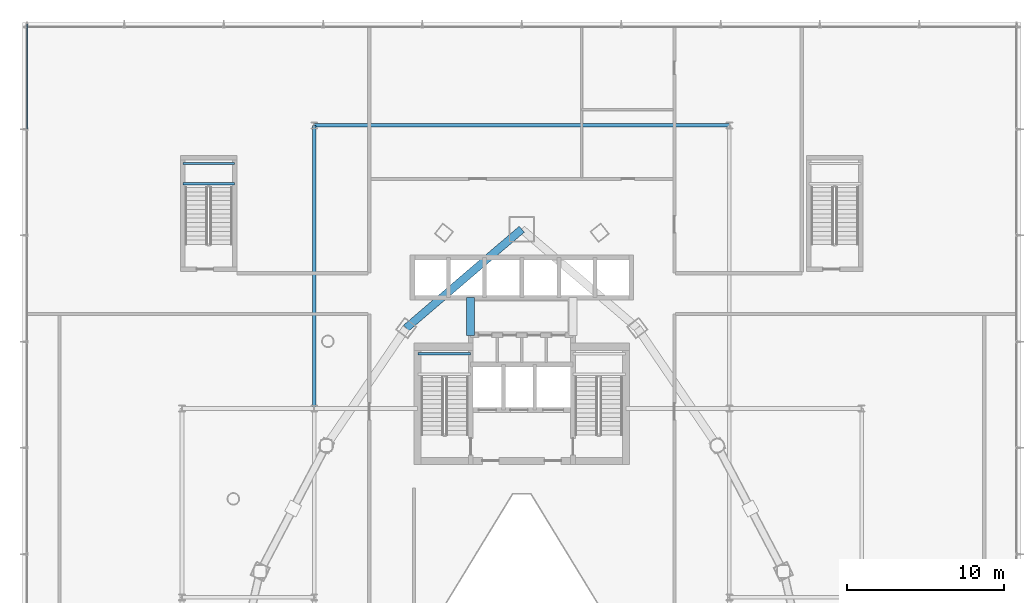
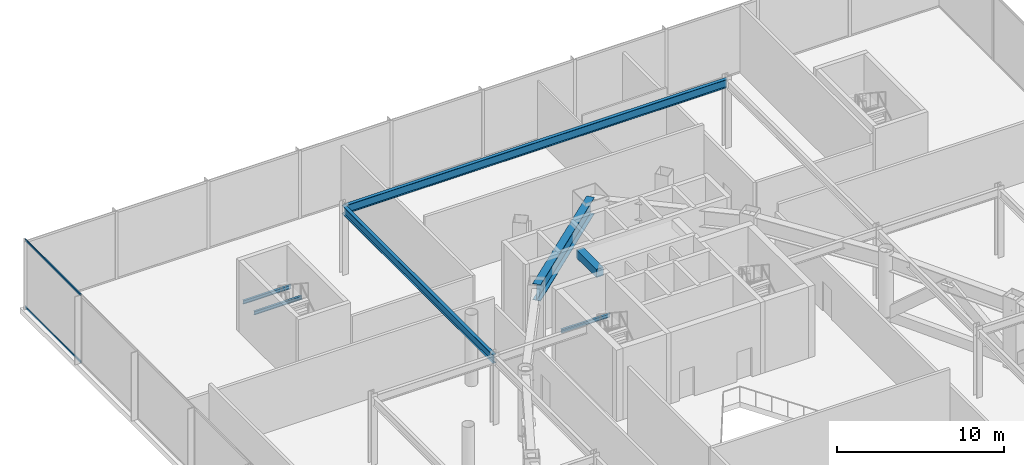
# One storey, part 23 of 43: 7 beams, 2 members, 1 element without a shape of its own.
"""IFC4 building model written with IfcOpenShell, lengths in metres."""

from ifc_helpers import new_model, si_unit, direction, frame, origin, origin_2d, place, context, subcontext, project, spatial, rectangle, hollow_rectangle, i_section, extrude, material, layer, layer_set, material_profile, profile_set, type_object, element, aggregate, save


model = new_model("IFC4")

# Units and contexts
model_context = context("Model", 3, precision=1e-05, world=origin(), true_north=direction((0.0, 1.0)))
body_context = subcontext(model_context, "Body", "Model", "MODEL_VIEW")
ifc_project = project(units=[si_unit("LENGTHUNIT", "METRE"), si_unit("AREAUNIT", "SQUARE_METRE"), si_unit("VOLUMEUNIT", "CUBIC_METRE"), si_unit("PLANEANGLEUNIT", "RADIAN"), si_unit("MASSUNIT", "GRAM", prefix="KILO")], contexts=[model_context])

# Site, building, storey
site_placement = place(None, origin())
site = spatial("IfcSite", under=ifc_project, at=site_placement, CompositionType="ELEMENT")
building_placement = place(site_placement, origin())
building = spatial("IfcBuilding", under=site, at=building_placement, Name="Orvanel Arch Residences", CompositionType="ELEMENT")
storey_placement = place(building_placement, frame((0.0, 0.0, 18.39990234375)))
storey = spatial("IfcBuildingStorey", under=building, at=storey_placement, Name="L04", CompositionType="ELEMENT", Elevation=18.39990234375)

# Beams
ifc_material_1 = material(Name="Structural steel AS/NZS 3679.1 Grade 300 (300 MPa)", Category="steel")
ifc_material_profile_1 = material_profile(ifc_material_1, i_section(OverallWidth=0.22900390625, OverallDepth=0.612060546875, WebThickness=0.011962890625, FlangeThickness=0.01953125, at=origin_2d()), Name="610UB125")
ifc_profile_set_1 = profile_set([ifc_material_profile_1], Name="Structural steel AS/NZS 3679.1 Grade 300 (300 MPa)")
beam_type_1 = type_object("IfcBeamType", Name="BG-610UB", PredefinedType="BEAM", material=ifc_profile_set_1)
beam_1_placement = place(storey_placement, frame((19.800048828125, 48.0, 4.654052734375), z_axis=(1.0, 0.0, 0.0), x_axis=(0.0, 1.0, 0.0)))
element("IfcBeam", 1, at=beam_1_placement, inside=storey, type_object=beam_type_1, Name="L04 BG-610UB beam", PredefinedType="BEAM", context=body_context, shape_type="SweptSolid", body=[
    extrude(i_section(OverallWidth=0.22900390625, OverallDepth=0.612060546875, WebThickness=0.011962890625, FlangeThickness=0.01953125, at=origin_2d()), origin(), (0.0, 0.0, 1.0), 26.39990234375),
])
beam_2_placement = place(storey_placement, frame((19.800048828125, 30.0, 4.654052734375), z_axis=(0.0, 1.0, 0.0), x_axis=(-1.0, 0.0, 0.0)))
element("IfcBeam", 2, at=beam_2_placement, inside=storey, type_object=beam_type_1, Name="L04 North-South Podium Girder XW20-N", PredefinedType="BEAM", context=body_context, shape_type="SweptSolid", body=[
    extrude(i_section(OverallWidth=0.22900390625, OverallDepth=0.612060546875, WebThickness=0.011962890625, FlangeThickness=0.01953125, at=origin_2d()), origin(), (0.0, 0.0, 1.0), 18.0),
])
ifc_material_profile_2 = material_profile(ifc_material_1, i_section(OverallWidth=0.14599609375, OverallDepth=0.251953125, WebThickness=0.006103515625, FlangeThickness=0.008544921875, at=origin_2d()), Name="250UB31.4")
ifc_profile_set_2 = profile_set([ifc_material_profile_2], Name="Structural steel AS/NZS 3679.1 Grade 300 (300 MPa)")
beam_type_2 = type_object("IfcBeamType", Name="BJ-250UB", PredefinedType="JOIST", material=ifc_profile_set_2)
beam_3_placement = place(storey_placement, frame((26.39990234375, 33.47998046875, 2.274169921875), z_axis=(1.0, 0.0, 0.0), x_axis=(0.0, 1.0, 0.0)))
element("IfcBeam", 3, at=beam_3_placement, inside=storey, type_object=beam_type_2, Name="L04 ST-1 Half-Landing Support Beam 1.2", PredefinedType="JOIST", context=body_context, shape_type="SweptSolid", body=[
    extrude(i_section(OverallWidth=0.14599609375, OverallDepth=0.251953125, WebThickness=0.006103515625, FlangeThickness=0.008544921875, at=origin_2d()), origin(), (0.0, 0.0, 1.0), 3.35009765625),
])
for number, where, z_axis, x_axis, name in (
    (4, (11.449951171875, 44.280029296875, 2.274169921875), (1.0, 0.0, 0.0), (0.0, 1.0, 0.0), "L04 ST-3 Half-Landing Support Beam 1.1"),
    (5, (11.449951171875, 45.580078125, 2.274169921875), (1.0, 0.0, 0.0), (0.0, 1.0, 0.0), "L04 ST-3 Half-Landing Support Beam 1.2"),
):
    element("IfcBeam", number, at=place(storey_placement, frame(where, z_axis=z_axis, x_axis=x_axis)), inside=storey, type_object=beam_type_2, Name=name, PredefinedType="JOIST", context=body_context, shape_type="SweptSolid", body=[
        extrude(i_section(OverallWidth=0.14599609375, OverallDepth=0.251953125, WebThickness=0.006103515625, FlangeThickness=0.008544921875, at=origin_2d()), origin(), (0.0, 0.0, 1.0), 3.300048828125),
    ])
ifc_material_2 = material(Name="Concrete S65 (65 MPa)", Category="concrete")
ifc_material_profile_3 = material_profile(ifc_material_2, rectangle(XDim=0.5, YDim=0.60009765625, at=origin_2d()), Name="RC500x600")
ifc_profile_set_3 = profile_set([ifc_material_profile_3], Name="Concrete S65 (65 MPa)")
beam_type_3 = type_object("IfcBeamType", Name="CB-500x600", PredefinedType="LINTEL", material=ifc_profile_set_3)
beam_4_placement = place(storey_placement, frame((29.75, 34.64990234375, 4.66015625), z_axis=(0.0, 1.0, 0.0), x_axis=(-1.0, 0.0, 0.0)))
element("IfcBeam", 6, at=beam_4_placement, inside=storey, type_object=beam_type_3, Name="L04 West Core Lobby Coupling Lintel Beam", PredefinedType="LINTEL", context=body_context, shape_type="SweptSolid", body=[
    extrude(rectangle(XDim=0.5, YDim=0.60009765625, at=origin_2d()), origin(), (0.0, 0.0, 1.0), 2.400146484375),
])
ifc_material_3 = material(Name="Structural steel AS/NZS 3678 Grade 350", Category="steel")
ifc_material_profile_4 = material_profile(ifc_material_3, i_section(OverallWidth=0.5, OverallDepth=1.199951171875, WebThickness=0.02001953125, FlangeThickness=0.035888671875, at=origin_2d()), Name="1200WB455")
ifc_profile_set_4 = profile_set([ifc_material_profile_4], Name="Structural steel AS/NZS 3678 Grade 350")
beam_type_4 = type_object("IfcBeamType", Name="TG-1200WB", PredefinedType="USERDEFINED", material=ifc_profile_set_4)
beam_5_placement = place(storey_placement, frame((33.0, 41.39794921875, 4.360107421875), z_axis=(-0.760116518398, -0.649786794617, 0.0), x_axis=(0.649786794617, -0.760116518398, 0.0)))
element("IfcBeam", 7, at=beam_5_placement, inside=storey, type_object=beam_type_4, Name="L04 Podium Transfer Belt Girder 09", ObjectType="TRANSFER GIRDER", PredefinedType="USERDEFINED", context=body_context, shape_type="SweptSolid", body=[
    extrude(i_section(OverallWidth=0.5, OverallDepth=1.199951171875, WebThickness=0.02001953125, FlangeThickness=0.035888671875, at=origin_2d()), origin(), (0.0, 0.0, 1.0), 9.67236328125),
])

# Curtain wall, members
ifc_material_4 = material(Name="Bronze-anodised aluminium AA6063-T6", Category="aluminium")
ifc_layer = layer(ifc_material_4, 0.199951171875)
ifc_layer_set = layer_set([ifc_layer], Name="Bronze-anodised aluminium AA6063-T6")
curtain_wall_type = type_object("IfcCurtainWallType", Name="CW1-POD-SYS", PredefinedType="NOTDEFINED", material=ifc_layer_set)
curtain_wall_placement = place(storey_placement, origin())
curtain_wall = element("IfcCurtainWall", 8, at=curtain_wall_placement, inside=storey, type_object=curtain_wall_type, Name="L04 CW1-POD-SYS Unitised Curtain Wall", PredefinedType="NOTDEFINED")
ifc_material_profile_5 = material_profile(ifc_material_4, hollow_rectangle(XDim=0.06494140625, YDim=0.14990234375, WallThickness=0.00390625, at=origin_2d()), Name="ALU150x65x4")
ifc_profile_set_5 = profile_set([ifc_material_profile_5], Name="Bronze-anodised aluminium AA6063-T6")
member_type = type_object("IfcMemberType", Name="TRN-150x65", PredefinedType="USERDEFINED", material=ifc_profile_set_5)
member_1_placement = place(storey_placement, frame((1.550048828125, 54.43505859375, 0.03271484375), z_axis=(0.0, -1.0, 0.0), x_axis=(1.0, 0.0, 0.0)))
member_1 = element("IfcMember", 9, at=member_1_placement, type_object=member_type, Name="CW-S1 transom 1.1", ObjectType="TRANSOM", PredefinedType="USERDEFINED", context=body_context, shape_type="SweptSolid", body=[
    extrude(hollow_rectangle(XDim=0.06494140625, YDim=0.14990234375, WallThickness=0.00390625, at=origin_2d()), origin(), (0.0, 0.0, 1.0), 6.64013671875),
])
member_2_placement = place(storey_placement, frame((1.550048828125, 54.43505859375, 4.927490234375), z_axis=(0.0, -1.0, 0.0), x_axis=(1.0, 0.0, 0.0)))
member_2 = element("IfcMember", 10, at=member_2_placement, type_object=member_type, Name="CW-S1 transom 1.2", ObjectType="TRANSOM", PredefinedType="USERDEFINED", context=body_context, shape_type="SweptSolid", body=[
    extrude(hollow_rectangle(XDim=0.06494140625, YDim=0.14990234375, WallThickness=0.00390625, at=origin_2d()), origin(), (0.0, 0.0, 1.0), 6.64013671875),
])
aggregate(curtain_wall, [member_1, member_2])

save(model, "model.ifc")
